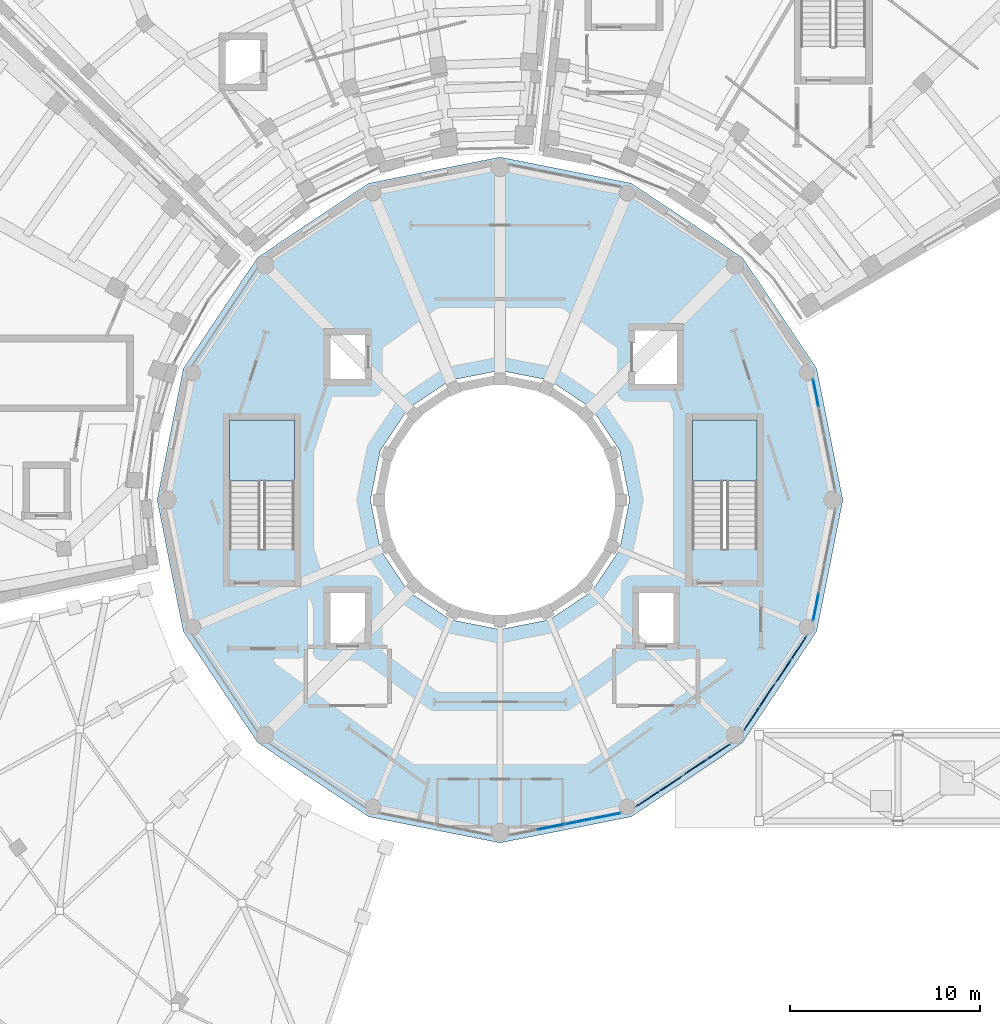
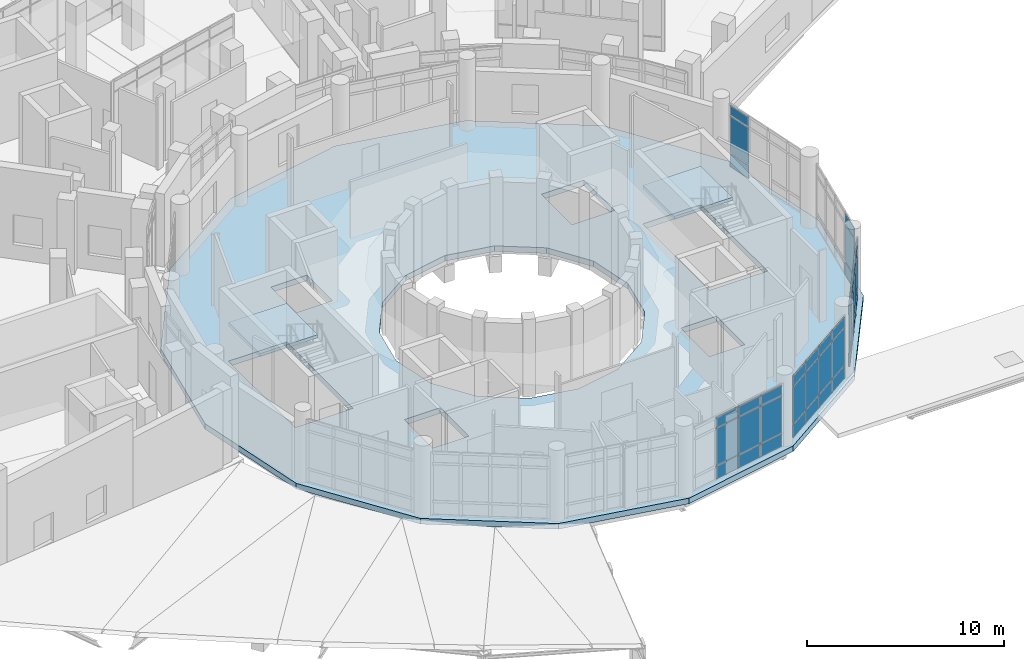
# One storey, part 37 of 75: 39 plates, 3 slabs, 7 elements without a shape of their own.
"""IFC4 building model written with IfcOpenShell, lengths in metres."""

from ifc_helpers import new_model, si_unit, direction, frame, origin, origin_2d, place, context, subcontext, project, spatial, polyline, rectangle, outline, extrude, material, layer, layer_set, type_object, element, aggregate, save


model = new_model("IFC4")

# Units and contexts
model_context = context("Model", 3, precision=1e-05, world=origin(), true_north=direction((0.0, 1.0)))
body_context = subcontext(model_context, "Body", "Model", "MODEL_VIEW")
ifc_project = project(units=[si_unit("LENGTHUNIT", "METRE"), si_unit("AREAUNIT", "SQUARE_METRE"), si_unit("VOLUMEUNIT", "CUBIC_METRE"), si_unit("PLANEANGLEUNIT", "RADIAN"), si_unit("MASSUNIT", "GRAM", prefix="KILO")], contexts=[model_context])

# Site, building, storey
site_placement = place(None, origin())
site = spatial("IfcSite", under=ifc_project, at=site_placement, CompositionType="ELEMENT")
building_placement = place(site_placement, origin())
building = spatial("IfcBuilding", under=site, at=building_placement, Name="Soyqirgoq Riverine Aquarium", CompositionType="ELEMENT")
storey_placement = place(building_placement, frame((0.0, 0.0, 10.199951171875)))
storey = spatial("IfcBuildingStorey", under=building, at=storey_placement, Name="L03", CompositionType="ELEMENT", Elevation=10.199951171875)

# Curtain wall, plates
ifc_material_1 = material(Name="Anodised aluminium thermally broken triple low-E glazing", Category="aluminium")
curtain_wall_type = type_object("IfcCurtainWallType", Name="CW_DrumGallery_Unitised", PredefinedType="NOTDEFINED", material=ifc_material_1)
curtain_wall_1_placement = place(storey_placement, origin())
curtain_wall_1 = element("IfcCurtainWall", 1, at=curtain_wall_1_placement, inside=storey, type_object=curtain_wall_type, Name="V1 L03 Curtain Wall 003", PredefinedType="NOTDEFINED")
ifc_material_2 = material(Name="Triple insulated laminated low-E glass", Category="glass")
ifc_layer_1 = layer(ifc_material_2, 0.0458984375)
ifc_layer_set_1 = layer_set([ifc_layer_1], Name="Triple insulated laminated low-E glass")
plate_type = type_object("IfcPlateType", Name="CWGlazedPanel_46", PredefinedType="CURTAIN_PANEL", material=ifc_layer_set_1)
plate_1_placement = place(storey_placement, frame((72.584228515625, 62.609130859375, 0.074951171875), z_axis=(0.0, 0.0, 1.0), x_axis=(-0.195094927919, 0.980784364221, 0.0)))
plate_1 = element("IfcPlate", 2, at=plate_1_placement, type_object=plate_type, Name="CW-01 panel 4.1", PredefinedType="CURTAIN_PANEL", context=body_context, shape_type="SweptSolid", body=[
    extrude(rectangle(XDim=1.404541015625, YDim=0.0458984375, at=origin_2d()), origin(), (0.0, 0.0, 1.0), 0.78759765625),
])
plate_2_placement = place(storey_placement, frame((72.584228515625, 62.609130859375, 0.9375), z_axis=(0.0, 0.0, 1.0), x_axis=(-0.195094927919, 0.980784364221, 0.0)))
plate_2 = element("IfcPlate", 3, at=plate_2_placement, type_object=plate_type, Name="CW-01 panel 4.2", PredefinedType="CURTAIN_PANEL", context=body_context, shape_type="SweptSolid", body=[
    extrude(rectangle(XDim=1.404541015625, YDim=0.0458984375, at=origin_2d()), origin(), (0.0, 0.0, 1.0), 2.27490234375),
])
plate_3_placement = place(storey_placement, frame((72.584228515625, 62.609130859375, 3.28759765625), z_axis=(0.0, 0.0, 1.0), x_axis=(-0.195094927919, 0.980784364221, 0.0)))
plate_3 = element("IfcPlate", 4, at=plate_3_placement, type_object=plate_type, Name="CW-01 panel 4.3", PredefinedType="CURTAIN_PANEL", context=body_context, shape_type="SweptSolid", body=[
    extrude(rectangle(XDim=1.404541015625, YDim=0.0458984375, at=origin_2d()), origin(), (0.0, 0.0, 1.0), 0.58740234375),
])
aggregate(curtain_wall_1, [plate_1, plate_2, plate_3])

curtain_wall_2_placement = place(storey_placement, origin())
curtain_wall_2 = element("IfcCurtainWall", 5, at=curtain_wall_2_placement, inside=storey, type_object=curtain_wall_type, Name="V1 L03 Curtain Wall 057", PredefinedType="NOTDEFINED")
plate_4_placement = place(storey_placement, frame((58.6787109375, 39.832763671875, 0.074951171875), z_axis=(0.0, 0.0, 1.0), x_axis=(0.980784364221, 0.195094927919, 0.0)))
plate_4 = element("IfcPlate", 6, at=plate_4_placement, type_object=plate_type, Name="CW-01 panel 2.1", PredefinedType="CURTAIN_PANEL", context=body_context, shape_type="SweptSolid", body=[
    extrude(rectangle(XDim=1.43701171875, YDim=0.0458984375, at=origin_2d()), origin(), (0.0, 0.0, 1.0), 0.78759765625),
])
plate_5_placement = place(storey_placement, frame((58.6787109375, 39.832763671875, 0.9375), z_axis=(0.0, 0.0, 1.0), x_axis=(0.980784364221, 0.195094927919, 0.0)))
plate_5 = element("IfcPlate", 7, at=plate_5_placement, type_object=plate_type, Name="CW-01 panel 2.2", PredefinedType="CURTAIN_PANEL", context=body_context, shape_type="SweptSolid", body=[
    extrude(rectangle(XDim=1.43701171875, YDim=0.0458984375, at=origin_2d()), origin(), (0.0, 0.0, 1.0), 2.27490234375),
])
plate_6_placement = place(storey_placement, frame((58.6787109375, 39.832763671875, 3.28759765625), z_axis=(0.0, 0.0, 1.0), x_axis=(0.980784364221, 0.195094927919, 0.0)))
plate_6 = element("IfcPlate", 8, at=plate_6_placement, type_object=plate_type, Name="CW-01 panel 2.3", PredefinedType="CURTAIN_PANEL", context=body_context, shape_type="SweptSolid", body=[
    extrude(rectangle(XDim=1.43701171875, YDim=0.0458984375, at=origin_2d()), origin(), (0.0, 0.0, 1.0), 0.58740234375),
])
plate_7_placement = place(storey_placement, frame((60.15185546875, 40.1259765625, 0.074951171875), z_axis=(0.0, 0.0, 1.0), x_axis=(0.980784364221, 0.195094927919, 0.0)))
plate_7 = element("IfcPlate", 9, at=plate_7_placement, type_object=plate_type, Name="CW-01 panel 3.1", PredefinedType="CURTAIN_PANEL", context=body_context, shape_type="SweptSolid", body=[
    extrude(rectangle(XDim=1.43701171875, YDim=0.0458984375, at=origin_2d()), origin(), (0.0, 0.0, 1.0), 0.78759765625),
])
plate_8_placement = place(storey_placement, frame((60.15185546875, 40.1259765625, 0.9375), z_axis=(0.0, 0.0, 1.0), x_axis=(0.980784364221, 0.195094927919, 0.0)))
plate_8 = element("IfcPlate", 10, at=plate_8_placement, type_object=plate_type, Name="CW-01 panel 3.2", PredefinedType="CURTAIN_PANEL", context=body_context, shape_type="SweptSolid", body=[
    extrude(rectangle(XDim=1.43701171875, YDim=0.0458984375, at=origin_2d()), origin(), (0.0, 0.0, 1.0), 2.27490234375),
])
plate_9_placement = place(storey_placement, frame((60.15185546875, 40.1259765625, 3.28759765625), z_axis=(0.0, 0.0, 1.0), x_axis=(0.980784364221, 0.195094927919, 0.0)))
plate_9 = element("IfcPlate", 11, at=plate_9_placement, type_object=plate_type, Name="CW-01 panel 3.3", PredefinedType="CURTAIN_PANEL", context=body_context, shape_type="SweptSolid", body=[
    extrude(rectangle(XDim=1.43701171875, YDim=0.0458984375, at=origin_2d()), origin(), (0.0, 0.0, 1.0), 0.58740234375),
])
plate_10_placement = place(storey_placement, frame((61.609130859375, 40.415771484375, 0.074951171875), z_axis=(0.0, 0.0, 1.0), x_axis=(0.980784364221, 0.195094927919, 0.0)))
plate_10 = element("IfcPlate", 12, at=plate_10_placement, type_object=plate_type, Name="CW-01 panel 4.1", PredefinedType="CURTAIN_PANEL", context=body_context, shape_type="SweptSolid", body=[
    extrude(rectangle(XDim=1.404541015625, YDim=0.0458984375, at=origin_2d()), origin(), (0.0, 0.0, 1.0), 0.78759765625),
])
plate_11_placement = place(storey_placement, frame((61.609130859375, 40.415771484375, 0.9375), z_axis=(0.0, 0.0, 1.0), x_axis=(0.980784364221, 0.195094927919, 0.0)))
plate_11 = element("IfcPlate", 13, at=plate_11_placement, type_object=plate_type, Name="CW-01 panel 4.2", PredefinedType="CURTAIN_PANEL", context=body_context, shape_type="SweptSolid", body=[
    extrude(rectangle(XDim=1.404541015625, YDim=0.0458984375, at=origin_2d()), origin(), (0.0, 0.0, 1.0), 2.27490234375),
])
plate_12_placement = place(storey_placement, frame((61.609130859375, 40.415771484375, 3.28759765625), z_axis=(0.0, 0.0, 1.0), x_axis=(0.980784364221, 0.195094927919, 0.0)))
plate_12 = element("IfcPlate", 14, at=plate_12_placement, type_object=plate_type, Name="CW-01 panel 4.3", PredefinedType="CURTAIN_PANEL", context=body_context, shape_type="SweptSolid", body=[
    extrude(rectangle(XDim=1.404541015625, YDim=0.0458984375, at=origin_2d()), origin(), (0.0, 0.0, 1.0), 0.58740234375),
])
aggregate(curtain_wall_2, [plate_4, plate_5, plate_6, plate_7, plate_8, plate_9, plate_10, plate_11, plate_12])

curtain_wall_3_placement = place(storey_placement, origin())
curtain_wall_3 = element("IfcCurtainWall", 15, at=curtain_wall_3_placement, inside=storey, type_object=curtain_wall_type, Name="V1 L03 Curtain Wall 062", PredefinedType="NOTDEFINED")
plate_13_placement = place(storey_placement, frame((63.7607421875, 41.306884765625, 0.074951171875), z_axis=(0.0, 0.0, 1.0), x_axis=(0.831468565541, 0.555571799605, 0.0)))
plate_13 = element("IfcPlate", 16, at=plate_13_placement, type_object=plate_type, Name="CW-01 panel 1.1", PredefinedType="CURTAIN_PANEL", context=body_context, shape_type="SweptSolid", body=[
    extrude(rectangle(XDim=1.404541015625, YDim=0.0458984375, at=origin_2d()), origin(), (0.0, 0.0, 1.0), 0.78759765625),
])
plate_14_placement = place(storey_placement, frame((63.7607421875, 41.306884765625, 0.9375), z_axis=(0.0, 0.0, 1.0), x_axis=(0.831468565541, 0.555571799605, 0.0)))
plate_14 = element("IfcPlate", 17, at=plate_14_placement, type_object=plate_type, Name="CW-01 panel 1.2", PredefinedType="CURTAIN_PANEL", context=body_context, shape_type="SweptSolid", body=[
    extrude(rectangle(XDim=1.404541015625, YDim=0.0458984375, at=origin_2d()), origin(), (0.0, 0.0, 1.0), 2.27490234375),
])
plate_15_placement = place(storey_placement, frame((63.7607421875, 41.306884765625, 3.28759765625), z_axis=(0.0, 0.0, 1.0), x_axis=(0.831468565541, 0.555571799605, 0.0)))
plate_15 = element("IfcPlate", 18, at=plate_15_placement, type_object=plate_type, Name="CW-01 panel 1.3", PredefinedType="CURTAIN_PANEL", context=body_context, shape_type="SweptSolid", body=[
    extrude(rectangle(XDim=1.404541015625, YDim=0.0458984375, at=origin_2d()), origin(), (0.0, 0.0, 1.0), 0.58740234375),
])
plate_16_placement = place(storey_placement, frame((64.99609375, 42.13232421875, 0.074951171875), z_axis=(0.0, 0.0, 1.0), x_axis=(0.831468565541, 0.555571799605, 0.0)))
plate_16 = element("IfcPlate", 19, at=plate_16_placement, type_object=plate_type, Name="CW-01 panel 2.1", PredefinedType="CURTAIN_PANEL", context=body_context, shape_type="SweptSolid", body=[
    extrude(rectangle(XDim=1.43701171875, YDim=0.0458984375, at=origin_2d()), origin(), (0.0, 0.0, 1.0), 0.78759765625),
])
plate_17_placement = place(storey_placement, frame((64.99609375, 42.13232421875, 0.9375), z_axis=(0.0, 0.0, 1.0), x_axis=(0.831468565541, 0.555571799605, 0.0)))
plate_17 = element("IfcPlate", 20, at=plate_17_placement, type_object=plate_type, Name="CW-01 panel 2.2", PredefinedType="CURTAIN_PANEL", context=body_context, shape_type="SweptSolid", body=[
    extrude(rectangle(XDim=1.43701171875, YDim=0.0458984375, at=origin_2d()), origin(), (0.0, 0.0, 1.0), 2.27490234375),
])
plate_18_placement = place(storey_placement, frame((64.99609375, 42.13232421875, 3.28759765625), z_axis=(0.0, 0.0, 1.0), x_axis=(0.831468565541, 0.555571799605, 0.0)))
plate_18 = element("IfcPlate", 21, at=plate_18_placement, type_object=plate_type, Name="CW-01 panel 2.3", PredefinedType="CURTAIN_PANEL", context=body_context, shape_type="SweptSolid", body=[
    extrude(rectangle(XDim=1.43701171875, YDim=0.0458984375, at=origin_2d()), origin(), (0.0, 0.0, 1.0), 0.58740234375),
])
plate_19_placement = place(storey_placement, frame((66.244873046875, 42.966796875, 0.074951171875), z_axis=(0.0, 0.0, 1.0), x_axis=(0.831468565541, 0.555571799605, 0.0)))
plate_19 = element("IfcPlate", 22, at=plate_19_placement, type_object=plate_type, Name="CW-01 panel 3.1", PredefinedType="CURTAIN_PANEL", context=body_context, shape_type="SweptSolid", body=[
    extrude(rectangle(XDim=1.43701171875, YDim=0.0458984375, at=origin_2d()), origin(), (0.0, 0.0, 1.0), 0.78759765625),
])
plate_20_placement = place(storey_placement, frame((66.244873046875, 42.966796875, 0.9375), z_axis=(0.0, 0.0, 1.0), x_axis=(0.831468565541, 0.555571799605, 0.0)))
plate_20 = element("IfcPlate", 23, at=plate_20_placement, type_object=plate_type, Name="CW-01 panel 3.2", PredefinedType="CURTAIN_PANEL", context=body_context, shape_type="SweptSolid", body=[
    extrude(rectangle(XDim=1.43701171875, YDim=0.0458984375, at=origin_2d()), origin(), (0.0, 0.0, 1.0), 2.27490234375),
])
plate_21_placement = place(storey_placement, frame((66.244873046875, 42.966796875, 3.28759765625), z_axis=(0.0, 0.0, 1.0), x_axis=(0.831468565541, 0.555571799605, 0.0)))
plate_21 = element("IfcPlate", 24, at=plate_21_placement, type_object=plate_type, Name="CW-01 panel 3.3", PredefinedType="CURTAIN_PANEL", context=body_context, shape_type="SweptSolid", body=[
    extrude(rectangle(XDim=1.43701171875, YDim=0.0458984375, at=origin_2d()), origin(), (0.0, 0.0, 1.0), 0.58740234375),
])
plate_22_placement = place(storey_placement, frame((67.480224609375, 43.792236328125, 0.074951171875), z_axis=(0.0, 0.0, 1.0), x_axis=(0.831468565541, 0.555571799605, 0.0)))
plate_22 = element("IfcPlate", 25, at=plate_22_placement, type_object=plate_type, Name="CW-01 panel 4.1", PredefinedType="CURTAIN_PANEL", context=body_context, shape_type="SweptSolid", body=[
    extrude(rectangle(XDim=1.404541015625, YDim=0.0458984375, at=origin_2d()), origin(), (0.0, 0.0, 1.0), 0.78759765625),
])
plate_23_placement = place(storey_placement, frame((67.480224609375, 43.792236328125, 0.9375), z_axis=(0.0, 0.0, 1.0), x_axis=(0.831468565541, 0.555571799605, 0.0)))
plate_23 = element("IfcPlate", 26, at=plate_23_placement, type_object=plate_type, Name="CW-01 panel 4.2", PredefinedType="CURTAIN_PANEL", context=body_context, shape_type="SweptSolid", body=[
    extrude(rectangle(XDim=1.404541015625, YDim=0.0458984375, at=origin_2d()), origin(), (0.0, 0.0, 1.0), 2.27490234375),
])
plate_24_placement = place(storey_placement, frame((67.480224609375, 43.792236328125, 3.28759765625), z_axis=(0.0, 0.0, 1.0), x_axis=(0.831468565541, 0.555571799605, 0.0)))
plate_24 = element("IfcPlate", 27, at=plate_24_placement, type_object=plate_type, Name="CW-01 panel 4.3", PredefinedType="CURTAIN_PANEL", context=body_context, shape_type="SweptSolid", body=[
    extrude(rectangle(XDim=1.404541015625, YDim=0.0458984375, at=origin_2d()), origin(), (0.0, 0.0, 1.0), 0.58740234375),
])
aggregate(curtain_wall_3, [plate_13, plate_14, plate_15, plate_16, plate_17, plate_18, plate_19, plate_20, plate_21, plate_22, plate_23, plate_24])

curtain_wall_4_placement = place(storey_placement, origin())
curtain_wall_4 = element("IfcCurtainWall", 28, at=curtain_wall_4_placement, inside=storey, type_object=curtain_wall_type, Name="V1 L03 Curtain Wall 067", PredefinedType="NOTDEFINED")
plate_25_placement = place(storey_placement, frame((69.207763671875, 45.519775390625, 0.074951171875), z_axis=(0.0, 0.0, 1.0), x_axis=(0.555571799605, 0.831468565541, 0.0)))
plate_25 = element("IfcPlate", 29, at=plate_25_placement, type_object=plate_type, Name="CW-01 panel 1.1", PredefinedType="CURTAIN_PANEL", context=body_context, shape_type="SweptSolid", body=[
    extrude(rectangle(XDim=1.404541015625, YDim=0.0458984375, at=origin_2d()), origin(), (0.0, 0.0, 1.0), 0.78759765625),
])
plate_26_placement = place(storey_placement, frame((69.207763671875, 45.519775390625, 0.9375), z_axis=(0.0, 0.0, 1.0), x_axis=(0.555571799605, 0.831468565541, 0.0)))
plate_26 = element("IfcPlate", 30, at=plate_26_placement, type_object=plate_type, Name="CW-01 panel 1.2", PredefinedType="CURTAIN_PANEL", context=body_context, shape_type="SweptSolid", body=[
    extrude(rectangle(XDim=1.404541015625, YDim=0.0458984375, at=origin_2d()), origin(), (0.0, 0.0, 1.0), 2.27490234375),
])
plate_27_placement = place(storey_placement, frame((69.207763671875, 45.519775390625, 3.28759765625), z_axis=(0.0, 0.0, 1.0), x_axis=(0.555571799605, 0.831468565541, 0.0)))
plate_27 = element("IfcPlate", 31, at=plate_27_placement, type_object=plate_type, Name="CW-01 panel 1.3", PredefinedType="CURTAIN_PANEL", context=body_context, shape_type="SweptSolid", body=[
    extrude(rectangle(XDim=1.404541015625, YDim=0.0458984375, at=origin_2d()), origin(), (0.0, 0.0, 1.0), 0.58740234375),
])
plate_28_placement = place(storey_placement, frame((70.033203125, 46.755126953125, 0.074951171875), z_axis=(0.0, 0.0, 1.0), x_axis=(0.555571799605, 0.831468565541, 0.0)))
plate_28 = element("IfcPlate", 32, at=plate_28_placement, type_object=plate_type, Name="CW-01 panel 2.1", PredefinedType="CURTAIN_PANEL", context=body_context, shape_type="SweptSolid", body=[
    extrude(rectangle(XDim=1.43701171875, YDim=0.0458984375, at=origin_2d()), origin(), (0.0, 0.0, 1.0), 0.78759765625),
])
plate_29_placement = place(storey_placement, frame((70.033203125, 46.755126953125, 0.9375), z_axis=(0.0, 0.0, 1.0), x_axis=(0.555571799605, 0.831468565541, 0.0)))
plate_29 = element("IfcPlate", 33, at=plate_29_placement, type_object=plate_type, Name="CW-01 panel 2.2", PredefinedType="CURTAIN_PANEL", context=body_context, shape_type="SweptSolid", body=[
    extrude(rectangle(XDim=1.43701171875, YDim=0.0458984375, at=origin_2d()), origin(), (0.0, 0.0, 1.0), 2.27490234375),
])
plate_30_placement = place(storey_placement, frame((70.033203125, 46.755126953125, 3.28759765625), z_axis=(0.0, 0.0, 1.0), x_axis=(0.555571799605, 0.831468565541, 0.0)))
plate_30 = element("IfcPlate", 34, at=plate_30_placement, type_object=plate_type, Name="CW-01 panel 2.3", PredefinedType="CURTAIN_PANEL", context=body_context, shape_type="SweptSolid", body=[
    extrude(rectangle(XDim=1.43701171875, YDim=0.0458984375, at=origin_2d()), origin(), (0.0, 0.0, 1.0), 0.58740234375),
])
plate_31_placement = place(storey_placement, frame((70.86767578125, 48.00390625, 0.074951171875), z_axis=(0.0, 0.0, 1.0), x_axis=(0.555571799605, 0.831468565541, 0.0)))
plate_31 = element("IfcPlate", 35, at=plate_31_placement, type_object=plate_type, Name="CW-01 panel 3.1", PredefinedType="CURTAIN_PANEL", context=body_context, shape_type="SweptSolid", body=[
    extrude(rectangle(XDim=1.43701171875, YDim=0.0458984375, at=origin_2d()), origin(), (0.0, 0.0, 1.0), 0.78759765625),
])
plate_32_placement = place(storey_placement, frame((70.86767578125, 48.00390625, 0.9375), z_axis=(0.0, 0.0, 1.0), x_axis=(0.555571799605, 0.831468565541, 0.0)))
plate_32 = element("IfcPlate", 36, at=plate_32_placement, type_object=plate_type, Name="CW-01 panel 3.2", PredefinedType="CURTAIN_PANEL", context=body_context, shape_type="SweptSolid", body=[
    extrude(rectangle(XDim=1.43701171875, YDim=0.0458984375, at=origin_2d()), origin(), (0.0, 0.0, 1.0), 2.27490234375),
])
plate_33_placement = place(storey_placement, frame((70.86767578125, 48.00390625, 3.28759765625), z_axis=(0.0, 0.0, 1.0), x_axis=(0.555571799605, 0.831468565541, 0.0)))
plate_33 = element("IfcPlate", 37, at=plate_33_placement, type_object=plate_type, Name="CW-01 panel 3.3", PredefinedType="CURTAIN_PANEL", context=body_context, shape_type="SweptSolid", body=[
    extrude(rectangle(XDim=1.43701171875, YDim=0.0458984375, at=origin_2d()), origin(), (0.0, 0.0, 1.0), 0.58740234375),
])
plate_34_placement = place(storey_placement, frame((71.693115234375, 49.2392578125, 0.074951171875), z_axis=(0.0, 0.0, 1.0), x_axis=(0.555571799605, 0.831468565541, 0.0)))
plate_34 = element("IfcPlate", 38, at=plate_34_placement, type_object=plate_type, Name="CW-01 panel 4.1", PredefinedType="CURTAIN_PANEL", context=body_context, shape_type="SweptSolid", body=[
    extrude(rectangle(XDim=1.404541015625, YDim=0.0458984375, at=origin_2d()), origin(), (0.0, 0.0, 1.0), 0.78759765625),
])
plate_35_placement = place(storey_placement, frame((71.693115234375, 49.2392578125, 0.9375), z_axis=(0.0, 0.0, 1.0), x_axis=(0.555571799605, 0.831468565541, 0.0)))
plate_35 = element("IfcPlate", 39, at=plate_35_placement, type_object=plate_type, Name="CW-01 panel 4.2", PredefinedType="CURTAIN_PANEL", context=body_context, shape_type="SweptSolid", body=[
    extrude(rectangle(XDim=1.404541015625, YDim=0.0458984375, at=origin_2d()), origin(), (0.0, 0.0, 1.0), 2.27490234375),
])
plate_36_placement = place(storey_placement, frame((71.693115234375, 49.2392578125, 3.28759765625), z_axis=(0.0, 0.0, 1.0), x_axis=(0.555571799605, 0.831468565541, 0.0)))
plate_36 = element("IfcPlate", 40, at=plate_36_placement, type_object=plate_type, Name="CW-01 panel 4.3", PredefinedType="CURTAIN_PANEL", context=body_context, shape_type="SweptSolid", body=[
    extrude(rectangle(XDim=1.404541015625, YDim=0.0458984375, at=origin_2d()), origin(), (0.0, 0.0, 1.0), 0.58740234375),
])
aggregate(curtain_wall_4, [plate_25, plate_26, plate_27, plate_28, plate_29, plate_30, plate_31, plate_32, plate_33, plate_34, plate_35, plate_36])

curtain_wall_5_placement = place(storey_placement, origin())
curtain_wall_5 = element("IfcCurtainWall", 41, at=curtain_wall_5_placement, inside=storey, type_object=curtain_wall_type, Name="V1 L03 Curtain Wall 074", PredefinedType="NOTDEFINED")
plate_37_placement = place(storey_placement, frame((72.584228515625, 51.390869140625, 0.074951171875), z_axis=(0.0, 0.0, 1.0), x_axis=(0.195094927919, 0.980784364221, 0.0)))
plate_37 = element("IfcPlate", 42, at=plate_37_placement, type_object=plate_type, Name="CW-01 panel 1.1", PredefinedType="CURTAIN_PANEL", context=body_context, shape_type="SweptSolid", body=[
    extrude(rectangle(XDim=1.404541015625, YDim=0.0458984375, at=origin_2d()), origin(), (0.0, 0.0, 1.0), 0.78759765625),
])
plate_38_placement = place(storey_placement, frame((72.584228515625, 51.390869140625, 0.9375), z_axis=(0.0, 0.0, 1.0), x_axis=(0.195094927919, 0.980784364221, 0.0)))
plate_38 = element("IfcPlate", 43, at=plate_38_placement, type_object=plate_type, Name="CW-01 panel 1.2", PredefinedType="CURTAIN_PANEL", context=body_context, shape_type="SweptSolid", body=[
    extrude(rectangle(XDim=1.404541015625, YDim=0.0458984375, at=origin_2d()), origin(), (0.0, 0.0, 1.0), 2.27490234375),
])
plate_39_placement = place(storey_placement, frame((72.584228515625, 51.390869140625, 3.28759765625), z_axis=(0.0, 0.0, 1.0), x_axis=(0.195094927919, 0.980784364221, 0.0)))
plate_39 = element("IfcPlate", 44, at=plate_39_placement, type_object=plate_type, Name="CW-01 panel 1.3", PredefinedType="CURTAIN_PANEL", context=body_context, shape_type="SweptSolid", body=[
    extrude(rectangle(XDim=1.404541015625, YDim=0.0458984375, at=origin_2d()), origin(), (0.0, 0.0, 1.0), 0.58740234375),
])
aggregate(curtain_wall_5, [plate_37, plate_38, plate_39])

# Stair, slab
ifc_material_3 = material(Name="Concrete C35/45", Category="concrete")
stair_type = type_object("IfcStairType", Name="CoreDoglegStair_RC", PredefinedType="HALF_TURN_STAIR", material=ifc_material_3)
stair_1_placement = place(storey_placement, origin())
stair_1 = element("IfcStair", 45, at=stair_1_placement, inside=storey, type_object=stair_type, Name="L03 Enclosed Exit Stair ST-1", PredefinedType="HALF_TURN_STAIR")
ifc_material_4 = material(Name="Concrete C35/45", Category="concrete")
ifc_layer_2 = layer(ifc_material_4, 0.199951171875)
ifc_layer_set_2 = layer_set([ifc_layer_2], Name="Concrete C35/45")
slab_type_1 = type_object("IfcSlabType", Name="CoreStairLanding_RC", PredefinedType="LANDING", material=ifc_layer_set_2)
slab_1_placement = place(storey_placement, frame((0.0, 0.0, 2.199951171875)))
slab_1 = element("IfcSlab", 46, at=slab_1_placement, type_object=slab_type_1, Name="ST-1 landing 1", PredefinedType="LANDING", context=body_context, shape_type="SweptSolid", body=[
    extrude(outline(polyline([(69.5, 58.0), (69.5, 61.199951171875), (66.10009765625, 61.199951171875), (66.10009765625, 58.0), (69.5, 58.0)])), origin(), (0.0, 0.0, 1.0), 0.2001953125),
])
aggregate(stair_1, [slab_1])

stair_2_placement = place(storey_placement, origin())
stair_2 = element("IfcStair", 47, at=stair_2_placement, inside=storey, type_object=stair_type, Name="L03 Enclosed Exit Stair ST-9", PredefinedType="HALF_TURN_STAIR")
slab_2_placement = place(storey_placement, frame((0.0, 0.0, 2.199951171875)))
slab_2 = element("IfcSlab", 48, at=slab_2_placement, type_object=slab_type_1, Name="ST-9 landing 1", PredefinedType="LANDING", context=body_context, shape_type="SweptSolid", body=[
    extrude(outline(polyline([(45.199951171875, 58.0), (45.199951171875, 61.199951171875), (41.800048828125, 61.199951171875), (41.800048828125, 58.0), (45.199951171875, 58.0)])), origin(), (0.0, 0.0, 1.0), 0.2001953125),
])
aggregate(stair_2, [slab_2])

# Slab
ifc_material_5 = material(Name="Concrete C40/50", Category="concrete")
ifc_layer_3 = layer(ifc_material_5, 0.35009765625)
ifc_layer_set_3 = layer_set([ifc_layer_3], Name="Concrete C40/50")
slab_type_2 = type_object("IfcSlabType", Name="FloorSlab_350_C40", PredefinedType="FLOOR", material=ifc_layer_set_3)
slab_3_placement = place(storey_placement, frame((0.0, 0.0, -0.349853515625)))
element("IfcSlab", 49, at=slab_3_placement, inside=storey, type_object=slab_type_2, Name="V1 L03 Suspended Floor Slab", PredefinedType="FLOOR", context=body_context, shape_type="SweptSolid", body=[
    extrude(outline(polyline([(74.0, 57.0), (72.6298828125, 63.88818359375), (68.727783203125, 69.727783203125), (62.88818359375, 73.6298828125), (56.0, 75.0), (49.11181640625, 73.6298828125), (43.272216796875, 69.727783203125), (39.3701171875, 63.88818359375), (38.0, 57.0), (39.3701171875, 50.11181640625), (43.272216796875, 44.272216796875), (49.11181640625, 40.3701171875), (56.0, 39.0), (62.88818359375, 40.3701171875), (68.727783203125, 44.272216796875), (72.6298828125, 50.11181640625), (74.0, 57.0)]), holes=[polyline([(69.5, 54.425048828125), (69.5, 61.199951171875), (66.10009765625, 61.199951171875), (66.10009765625, 54.425048828125), (69.5, 54.425048828125)]), polyline([(63.14990234375, 49.35009765625), (65.25, 49.35009765625), (65.25, 52.25), (63.14990234375, 52.25), (63.14990234375, 49.35009765625)]), polyline([(62.949951171875, 62.949951171875), (65.449951171875, 62.949951171875), (65.449951171875, 66.050048828125), (62.949951171875, 66.050048828125), (62.949951171875, 62.949951171875)]), polyline([(45.199951171875, 54.425048828125), (45.199951171875, 61.199951171875), (41.800048828125, 61.199951171875), (41.800048828125, 54.425048828125), (45.199951171875, 54.425048828125)]), polyline([(46.949951171875, 49.35009765625), (49.050048828125, 49.35009765625), (49.050048828125, 52.25), (46.949951171875, 52.25), (46.949951171875, 49.35009765625)]), polyline([(46.949951171875, 63.199951171875), (49.050048828125, 63.199951171875), (49.050048828125, 65.800048828125), (46.949951171875, 65.800048828125), (46.949951171875, 63.199951171875)]), polyline([(62.800048828125, 57.0), (62.282470703125, 59.602294921875), (60.808349609375, 61.808349609375), (58.602294921875, 63.282470703125), (56.0, 63.800048828125), (53.397705078125, 63.282470703125), (51.191650390625, 61.808349609375), (49.717529296875, 59.602294921875), (49.199951171875, 57.0), (49.717529296875, 54.397705078125), (51.191650390625, 52.191650390625), (53.397705078125, 50.717529296875), (56.0, 50.199951171875), (58.602294921875, 50.717529296875), (60.808349609375, 52.191650390625), (62.282470703125, 54.397705078125), (62.800048828125, 57.0)])]), origin(), (0.0, 0.0, 1.0), 0.349853515625),
])

save(model, "model.ifc")
